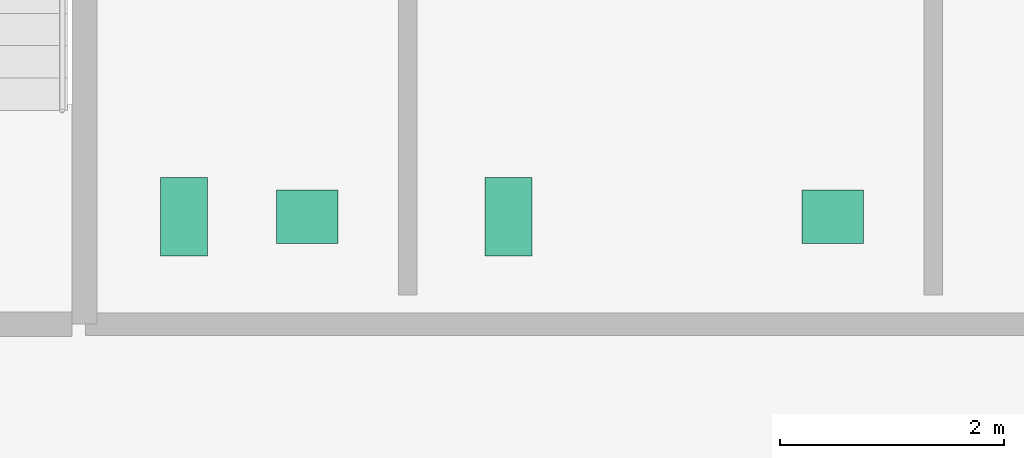
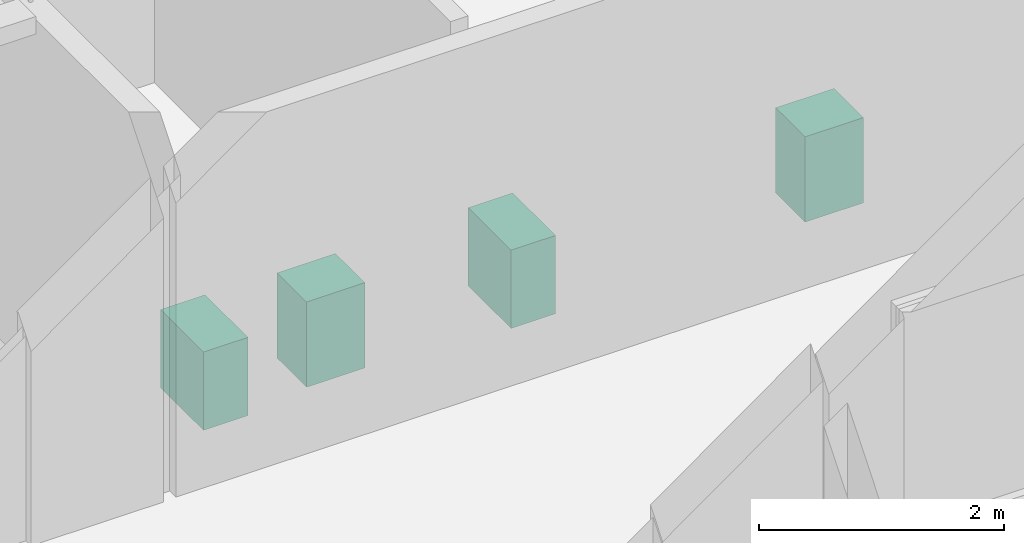
# One storey, part 12 of 12: 4 sanitary terminals.
"""IFC4 building model written with IfcOpenShell, lengths in metres."""

from ifc_helpers import new_model, si_unit, direction, frame, origin, origin_2d, place, context, subcontext, project, spatial, rectangle, extrude, material, type_object, element, save


model = new_model("IFC4")

# Units and contexts
model_context = context("Model", 3, precision=1e-05, world=origin(), true_north=direction((0.0, 1.0)))
body_context = subcontext(model_context, "Body", "Model", "MODEL_VIEW")
ifc_project = project(units=[si_unit("LENGTHUNIT", "METRE"), si_unit("AREAUNIT", "SQUARE_METRE"), si_unit("VOLUMEUNIT", "CUBIC_METRE"), si_unit("PLANEANGLEUNIT", "RADIAN"), si_unit("MASSUNIT", "GRAM", prefix="KILO")], contexts=[model_context])

# Site, building, storey
site_placement = place(None, origin())
site = spatial("IfcSite", under=ifc_project, at=site_placement, CompositionType="ELEMENT")
building_placement = place(site_placement, origin())
building = spatial("IfcBuilding", under=site, at=building_placement, Name="Norrvale University Quadrangle", CompositionType="ELEMENT")
storey_placement = place(building_placement, frame((0.0, 0.0, 186.39990234375)))
storey = spatial("IfcBuildingStorey", under=building, at=storey_placement, Name="L47", CompositionType="ELEMENT", Elevation=186.39990234375)

# Sanitary terminals
ifc_material = material(Name="Vitreous China Sanitaryware")
sanitary_terminal_type_1 = type_object("IfcSanitaryTerminalType", Name="Sanitary Wash Basin", PredefinedType="WASHHANDBASIN", material=ifc_material)
for number, where, z_axis, x_axis, name in (
    (1, (8.300048828125, 41.10009765625, 0.0), (0.0, 0.0, 1.0), (1.0, 0.0, 0.0), "Accessible Countertop Washbasin L47-1"),
    (2, (13.0, 41.10009765625, 0.0), (0.0, 0.0, 1.0), (1.0, 0.0, 0.0), "Accessible Countertop Washbasin L47-2"),
):
    element("IfcSanitaryTerminal", number, at=place(storey_placement, frame(where, z_axis=z_axis, x_axis=x_axis)), inside=storey, type_object=sanitary_terminal_type_1, Name=name, PredefinedType="WASHHANDBASIN", context=body_context, shape_type="SweptSolid", body=[
        extrude(rectangle(XDim=0.550048828125, YDim=0.47998046875, at=origin_2d()), origin(), (0.0, 0.0, 1.0), 0.85009765625),
    ])
sanitary_terminal_type_2 = type_object("IfcSanitaryTerminalType", Name="Sanitary Water Closet", PredefinedType="TOILETPAN", material=ifc_material)
for number, where, z_axis, x_axis, name in (
    (3, (7.199951171875, 41.10009765625, 0.0), (0.0, 0.0, 1.0), (1.0, 0.0, 0.0), "Wall-Hung Water Closet L47-1"),
    (4, (10.10009765625, 41.10009765625, 0.0), (0.0, 0.0, 1.0), (1.0, 0.0, 0.0), "Wall-Hung Water Closet L47-2"),
):
    element("IfcSanitaryTerminal", number, at=place(storey_placement, frame(where, z_axis=z_axis, x_axis=x_axis)), inside=storey, type_object=sanitary_terminal_type_2, Name=name, PredefinedType="TOILETPAN", context=body_context, shape_type="SweptSolid", body=[
        extrude(rectangle(XDim=0.419921875, YDim=0.699951171875, at=origin_2d()), origin(), (0.0, 0.0, 1.0), 0.780029296875),
    ])

save(model, "model.ifc")
